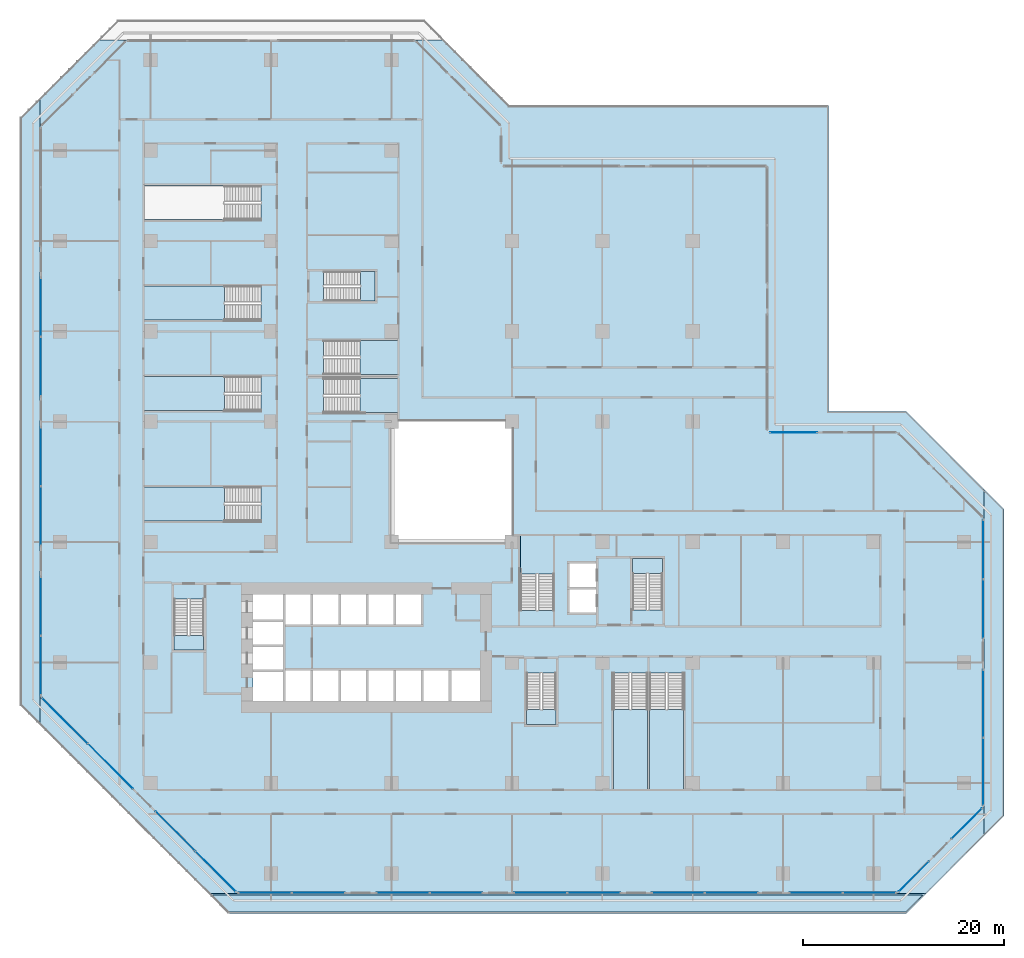
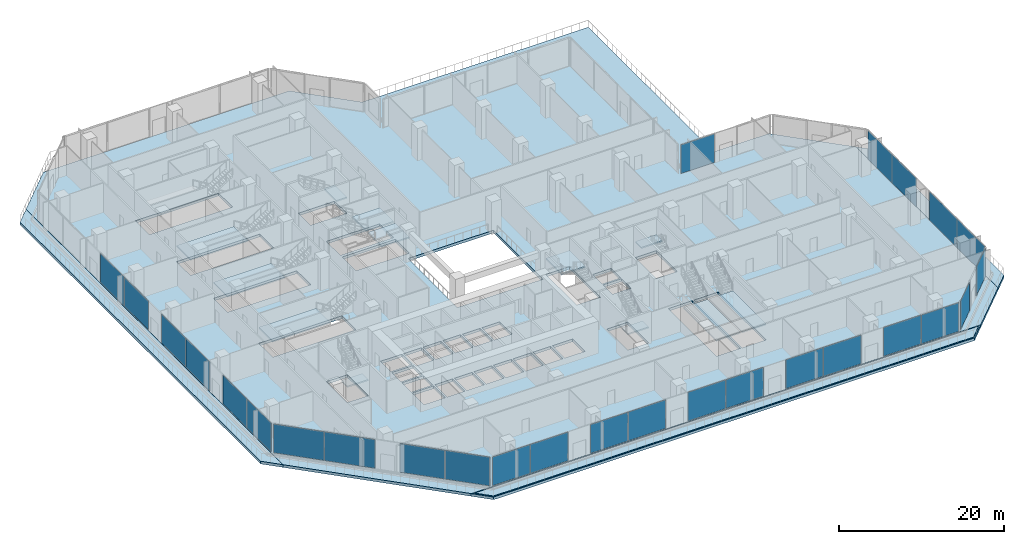
# One storey, part 12 of 31: 27 plates, 17 slabs, 27 elements without a shape of their own.
"""IFC4 building model written with IfcOpenShell, lengths in metres."""

from ifc_helpers import new_model, si_unit, direction, frame, origin, origin_2d, place, context, subcontext, project, spatial, polyline, rectangle, outline, extrude, material, layer, layer_set, type_object, element, aggregate, save


model = new_model("IFC4")

# Units and contexts
model_context = context("Model", 3, precision=1e-05, world=origin(), true_north=direction((0.0, 1.0)))
body_context = subcontext(model_context, "Body", "Model", "MODEL_VIEW")
ifc_project = project(units=[si_unit("LENGTHUNIT", "METRE"), si_unit("AREAUNIT", "SQUARE_METRE"), si_unit("VOLUMEUNIT", "CUBIC_METRE"), si_unit("PLANEANGLEUNIT", "RADIAN"), si_unit("MASSUNIT", "GRAM", prefix="KILO")], contexts=[model_context])

# Site, building, storey
site_placement = place(None, origin())
site = spatial("IfcSite", under=ifc_project, at=site_placement, CompositionType="ELEMENT")
building_placement = place(site_placement, origin())
building = spatial("IfcBuilding", under=site, at=building_placement, Name="Chenar Terraces", CompositionType="ELEMENT")
storey_placement = place(building_placement, frame((0.0, 0.0, 12.0)))
storey = spatial("IfcBuildingStorey", under=building, at=storey_placement, Name="L02", CompositionType="ELEMENT", Elevation=12.0)

# Stair, slab
ifc_material_1 = material(Name="Reinforced concrete C40/50", Category="concrete")
stair_type = type_object("IfcStairType", Name="Core stair 1400 half-turn", PredefinedType="HALF_TURN_STAIR", material=ifc_material_1)
placement_1 = place(storey_placement, origin())
stair_1 = element("IfcStair", 1, at=placement_1, inside=storey, type_object=stair_type, Name="L02 Stair 1", PredefinedType="HALF_TURN_STAIR")
ifc_material_2 = material(Name="Reinforced concrete C40/50", Category="concrete")
ifc_layer_1 = layer(ifc_material_2, 0.199951171875)
ifc_layer_set_1 = layer_set([ifc_layer_1], Name="Reinforced concrete C40/50")
slab_type_1 = type_object("IfcSlabType", Name="Core stair landing 200", PredefinedType="LANDING", material=ifc_layer_set_1)
placement_2 = place(storey_placement, frame((0.0, 0.0, 2.199951171875)))
slab_1 = element("IfcSlab", 2, at=placement_2, type_object=slab_type_1, Name="ST1 landing 1", PredefinedType="LANDING", context=body_context, shape_type="SweptSolid", body=[
    extrude(outline(polyline([(2.35009765625, 14.7099609375), (2.35009765625, 13.25), (5.300048828125, 13.25), (5.300048828125, 14.7099609375), (2.35009765625, 14.7099609375)])), origin(), (0.0, 0.0, 1.0), 0.199951171875),
])
aggregate(stair_1, [slab_1])

stair_2 = element("IfcStair", 3, at=placement_1, inside=storey, type_object=stair_type, Name="L02 Stair 2", PredefinedType="HALF_TURN_STAIR")
slab_2 = element("IfcSlab", 4, at=placement_2, type_object=slab_type_1, Name="ST2 landing 1", PredefinedType="LANDING", context=body_context, shape_type="SweptSolid", body=[
    extrude(outline(polyline([(37.449951171875, 7.31005859375), (37.449951171875, 5.85009765625), (40.39990234375, 5.85009765625), (40.39990234375, 7.31005859375), (37.449951171875, 7.31005859375)])), origin(), (0.0, 0.0, 1.0), 0.199951171875),
])
aggregate(stair_2, [slab_2])

stair_3 = element("IfcStair", 5, at=placement_1, inside=storey, type_object=stair_type, Name="L02 Stair 3", PredefinedType="HALF_TURN_STAIR")
slab_3 = element("IfcSlab", 6, at=placement_2, type_object=slab_type_1, Name="ST3 landing 1", PredefinedType="LANDING", context=body_context, shape_type="SweptSolid", body=[
    extrude(outline(polyline([(50.97509765625, 20.889892578125), (50.97509765625, 22.35009765625), (48.02490234375, 22.35009765625), (48.02490234375, 20.889892578125), (50.97509765625, 20.889892578125)])), origin(), (0.0, 0.0, 1.0), 0.199951171875),
])
aggregate(stair_3, [slab_3])

stair_4 = element("IfcStair", 7, at=placement_1, inside=storey, type_object=stair_type, Name="L02 Stair 4", PredefinedType="HALF_TURN_STAIR")
slab_4 = element("IfcSlab", 8, at=placement_2, type_object=slab_type_1, Name="ST4 landing 1", PredefinedType="LANDING", context=body_context, shape_type="SweptSolid", body=[
    extrude(outline(polyline([(20.889892578125, 48.02490234375), (22.35009765625, 48.02490234375), (22.35009765625, 50.97509765625), (20.889892578125, 50.97509765625), (20.889892578125, 48.02490234375)])), origin(), (0.0, 0.0, 1.0), 0.199951171875),
])
aggregate(stair_4, [slab_4])

stair_5 = element("IfcStair", 9, at=placement_1, inside=storey, type_object=stair_type, Name="L02 Exit stair PS1", PredefinedType="HALF_TURN_STAIR")
slab_5 = element("IfcSlab", 10, at=placement_2, type_object=slab_type_1, Name="PS1 landing 1", PredefinedType="LANDING", context=body_context, shape_type="SweptSolid", body=[
    extrude(outline(polyline([(40.175048828125, 20.840087890625), (40.175048828125, 24.699951171875), (36.824951171875, 24.699951171875), (36.824951171875, 20.840087890625), (40.175048828125, 20.840087890625)])), origin(), (0.0, 0.0, 1.0), 0.199951171875),
])
aggregate(stair_5, [slab_5])

stair_6 = element("IfcStair", 11, at=placement_1, inside=storey, type_object=stair_type, Name="L02 Exit stair PS2", PredefinedType="HALF_TURN_STAIR")
slab_6 = element("IfcSlab", 12, at=placement_2, type_object=slab_type_1, Name="PS2 landing 1", PredefinedType="LANDING", context=body_context, shape_type="SweptSolid", body=[
    extrude(outline(polyline([(49.7099609375, 7.344970703125), (49.7099609375, -0.699951171875), (53.090087890625, -0.699951171875), (53.090087890625, 7.344970703125), (49.7099609375, 7.344970703125)])), origin(), (0.0, 0.0, 1.0), 0.199951171875),
])
aggregate(stair_6, [slab_6])

stair_7 = element("IfcStair", 13, at=placement_1, inside=storey, type_object=stair_type, Name="L02 Exit stair PS4", PredefinedType="HALF_TURN_STAIR")
slab_7 = element("IfcSlab", 14, at=placement_2, type_object=slab_type_1, Name="PS4 landing 1", PredefinedType="LANDING", context=body_context, shape_type="SweptSolid", body=[
    extrude(outline(polyline([(7.344970703125, 49.489990234375), (-0.699951171875, 49.489990234375), (-0.699951171875, 46.110107421875), (7.344970703125, 46.110107421875), (7.344970703125, 49.489990234375)])), origin(), (0.0, 0.0, 1.0), 0.199951171875),
])
aggregate(stair_7, [slab_7])

stair_8 = element("IfcStair", 15, at=placement_1, inside=storey, type_object=stair_type, Name="L02 Exit stair PS5", PredefinedType="HALF_TURN_STAIR")
slab_8 = element("IfcSlab", 16, at=placement_2, type_object=slab_type_1, Name="PS5 landing 1", PredefinedType="LANDING", context=body_context, shape_type="SweptSolid", body=[
    extrude(outline(polyline([(7.344970703125, 29.489990234375), (-0.699951171875, 29.489990234375), (-0.699951171875, 26.110107421875), (7.344970703125, 26.110107421875), (7.344970703125, 29.489990234375)])), origin(), (0.0, 0.0, 1.0), 0.199951171875),
])
aggregate(stair_8, [slab_8])

stair_9 = element("IfcStair", 17, at=placement_1, inside=storey, type_object=stair_type, Name="L02 Exit stair PS6", PredefinedType="HALF_TURN_STAIR")
slab_9 = element("IfcSlab", 18, at=placement_2, type_object=slab_type_1, Name="PS6 landing 1", PredefinedType="LANDING", context=body_context, shape_type="SweptSolid", body=[
    extrude(outline(polyline([(46.110107421875, 7.344970703125), (46.110107421875, -0.699951171875), (49.489990234375, -0.699951171875), (49.489990234375, 7.344970703125), (46.110107421875, 7.344970703125)])), origin(), (0.0, 0.0, 1.0), 0.199951171875),
])
aggregate(stair_9, [slab_9])

stair_10 = element("IfcStair", 19, at=placement_1, inside=storey, type_object=stair_type, Name="L02 Exit stair PS7", PredefinedType="HALF_TURN_STAIR")
slab_10 = element("IfcSlab", 20, at=placement_2, type_object=slab_type_1, Name="PS7 landing 1", PredefinedType="LANDING", context=body_context, shape_type="SweptSolid", body=[
    extrude(outline(polyline([(20.85498046875, 36.909912109375), (24.699951171875, 36.909912109375), (24.699951171875, 40.2900390625), (20.85498046875, 40.2900390625), (20.85498046875, 36.909912109375)])), origin(), (0.0, 0.0, 1.0), 0.199951171875),
])
aggregate(stair_10, [slab_10])

stair_11 = element("IfcStair", 21, at=placement_1, inside=storey, type_object=stair_type, Name="L02 Exit stair PS8", PredefinedType="HALF_TURN_STAIR")
slab_11 = element("IfcSlab", 22, at=placement_2, type_object=slab_type_1, Name="PS8 landing 1", PredefinedType="LANDING", context=body_context, shape_type="SweptSolid", body=[
    extrude(outline(polyline([(20.85498046875, 40.7099609375), (24.699951171875, 40.7099609375), (24.699951171875, 44.090087890625), (20.85498046875, 44.090087890625), (20.85498046875, 40.7099609375)])), origin(), (0.0, 0.0, 1.0), 0.199951171875),
])
aggregate(stair_11, [slab_11])

stair_12 = element("IfcStair", 23, at=placement_1, inside=storey, type_object=stair_type, Name="L02 Exit stair PS9", PredefinedType="HALF_TURN_STAIR")
slab_12 = element("IfcSlab", 24, at=placement_2, type_object=slab_type_1, Name="PS9 landing 1", PredefinedType="LANDING", context=body_context, shape_type="SweptSolid", body=[
    extrude(outline(polyline([(7.344970703125, 40.489990234375), (-0.699951171875, 40.489990234375), (-0.699951171875, 37.110107421875), (7.344970703125, 37.110107421875), (7.344970703125, 40.489990234375)])), origin(), (0.0, 0.0, 1.0), 0.199951171875),
])
aggregate(stair_12, [slab_12])

# Slab
ifc_material_3 = material(Name="Concrete C40/50", Category="concrete")
ifc_layer_2 = layer(ifc_material_3, 0.39990234375)
ifc_layer_set_2 = layer_set([ifc_layer_2], Name="Concrete C40/50")
slab_type_2 = type_object("IfcSlabType", Name="Floor slab 400 Concrete C40/50", PredefinedType="FLOOR", material=ifc_layer_set_2)
placement_3 = place(storey_placement, frame((0.0, 0.0, -0.39990234375)))
element("IfcSlab", 25, at=placement_3, inside=storey, type_object=slab_type_2, Name="Floor slab L02", PredefinedType="FLOOR", context=body_context, shape_type="SweptSolid", body=[
    extrude(outline(polyline([(-10.998046875, 8.56298828125), (-10.998046875, 65.43701171875), (-11.0, 65.43505859375), (-11.0, 68.263427734375), (-5.263427734375, 74.0), (-2.43505859375, 74.0), (-2.43701171875, 73.998046875), (26.43701171875, 73.998046875), (26.43505859375, 74.0), (29.263427734375, 74.0), (35.763427734375, 67.5), (67.5, 67.5), (67.5, 37.0), (75.263427734375, 37.0), (83.0, 29.263427734375), (83.0, 26.43505859375), (82.998046875, 26.43701171875), (82.998046875, -2.43701171875), (83.0, -2.43505859375), (83.0, -5.263427734375), (77.263427734375, -11.0), (74.43505859375, -11.0), (74.43701171875, -10.998046875), (8.56298828125, -10.998046875), (8.56494140625, -11.0), (5.736572265625, -11.0), (-11.0, 5.736572265625), (-11.0, 8.56494140625), (-10.998046875, 8.56298828125)]), holes=[polyline([(13.199951171875, 8.199951171875), (13.199951171875, 11.050048828125), (10.199951171875, 11.050048828125), (10.199951171875, 8.199951171875), (13.199951171875, 8.199951171875)]), polyline([(15.949951171875, 8.199951171875), (15.949951171875, 11.199951171875), (13.449951171875, 11.199951171875), (13.449951171875, 8.199951171875), (15.949951171875, 8.199951171875)]), polyline([(18.699951171875, 8.199951171875), (18.699951171875, 11.199951171875), (16.199951171875, 11.199951171875), (16.199951171875, 8.199951171875), (18.699951171875, 8.199951171875)]), polyline([(21.449951171875, 8.199951171875), (21.449951171875, 11.199951171875), (18.949951171875, 11.199951171875), (18.949951171875, 8.199951171875), (21.449951171875, 8.199951171875)]), polyline([(13.199951171875, 11.300048828125), (13.199951171875, 13.550048828125), (10.199951171875, 13.550048828125), (10.199951171875, 11.300048828125), (13.199951171875, 11.300048828125)]), polyline([(13.199951171875, 13.800048828125), (13.199951171875, 16.050048828125), (10.199951171875, 16.050048828125), (10.199951171875, 13.800048828125), (13.199951171875, 13.800048828125)]), polyline([(2.35009765625, 18.35009765625), (2.35009765625, 13.25), (5.300048828125, 13.25), (5.300048828125, 18.35009765625), (2.35009765625, 18.35009765625)]), polyline([(15.949951171875, 15.800048828125), (15.949951171875, 18.800048828125), (13.449951171875, 18.800048828125), (13.449951171875, 15.800048828125), (15.949951171875, 15.800048828125)]), polyline([(18.699951171875, 15.800048828125), (18.699951171875, 18.800048828125), (16.199951171875, 18.800048828125), (16.199951171875, 15.800048828125), (18.699951171875, 15.800048828125)]), polyline([(21.449951171875, 15.800048828125), (21.449951171875, 18.800048828125), (18.949951171875, 18.800048828125), (18.949951171875, 15.800048828125), (21.449951171875, 15.800048828125)]), polyline([(13.199951171875, 16.300048828125), (13.199951171875, 18.800048828125), (10.199951171875, 18.800048828125), (10.199951171875, 16.300048828125), (13.199951171875, 16.300048828125)]), polyline([(10.985107421875, 29.489990234375), (-0.699951171875, 29.489990234375), (-0.699951171875, 26.110107421875), (10.985107421875, 26.110107421875), (10.985107421875, 29.489990234375)]), polyline([(10.985107421875, 40.489990234375), (-0.699951171875, 40.489990234375), (-0.699951171875, 37.110107421875), (10.985107421875, 37.110107421875), (10.985107421875, 40.489990234375)]), polyline([(10.985107421875, 49.489990234375), (-0.699951171875, 49.489990234375), (-0.699951171875, 46.110107421875), (10.985107421875, 46.110107421875), (10.985107421875, 49.489990234375)]), polyline([(17.25, 48.02490234375), (22.35009765625, 48.02490234375), (22.35009765625, 50.97509765625), (17.25, 50.97509765625), (17.25, 48.02490234375)]), polyline([(10.985107421875, 59.489990234375), (-0.699951171875, 59.489990234375), (-0.699951171875, 56.110107421875), (10.985107421875, 56.110107421875), (10.985107421875, 59.489990234375)]), polyline([(46.110107421875, 10.985107421875), (46.110107421875, -0.699951171875), (49.489990234375, -0.699951171875), (49.489990234375, 10.985107421875), (46.110107421875, 10.985107421875)]), polyline([(49.7099609375, 10.985107421875), (49.7099609375, -0.699951171875), (53.090087890625, -0.699951171875), (53.090087890625, 10.985107421875), (49.7099609375, 10.985107421875)]), polyline([(37.449951171875, 10.949951171875), (37.449951171875, 5.85009765625), (40.39990234375, 5.85009765625), (40.39990234375, 10.949951171875), (37.449951171875, 10.949951171875)]), polyline([(24.199951171875, 8.199951171875), (24.199951171875, 11.199951171875), (21.699951171875, 11.199951171875), (21.699951171875, 8.199951171875), (24.199951171875, 8.199951171875)]), polyline([(26.949951171875, 8.199951171875), (26.949951171875, 11.199951171875), (24.449951171875, 11.199951171875), (24.449951171875, 8.199951171875), (26.949951171875, 8.199951171875)]), polyline([(29.699951171875, 8.199951171875), (29.699951171875, 11.199951171875), (27.199951171875, 11.199951171875), (27.199951171875, 8.199951171875), (29.699951171875, 8.199951171875)]), polyline([(32.800048828125, 8.199951171875), (32.800048828125, 11.199951171875), (29.949951171875, 11.199951171875), (29.949951171875, 8.199951171875), (32.800048828125, 8.199951171875)]), polyline([(24.199951171875, 15.800048828125), (24.199951171875, 18.800048828125), (21.699951171875, 18.800048828125), (21.699951171875, 15.800048828125), (24.199951171875, 15.800048828125)]), polyline([(26.949951171875, 15.800048828125), (26.949951171875, 18.800048828125), (24.449951171875, 18.800048828125), (24.449951171875, 15.800048828125), (26.949951171875, 15.800048828125)]), polyline([(44.35009765625, 17.0), (44.35009765625, 19.300048828125), (41.75, 19.300048828125), (41.75, 17.0), (44.35009765625, 17.0)]), polyline([(50.97509765625, 17.25), (50.97509765625, 22.35009765625), (48.02490234375, 22.35009765625), (48.02490234375, 17.25), (50.97509765625, 17.25)]), polyline([(44.35009765625, 19.550048828125), (44.35009765625, 21.85009765625), (41.75, 21.85009765625), (41.75, 19.550048828125), (44.35009765625, 19.550048828125)]), polyline([(40.175048828125, 17.199951171875), (40.175048828125, 24.699951171875), (36.824951171875, 24.699951171875), (36.824951171875, 17.199951171875), (40.175048828125, 17.199951171875)]), polyline([(24.0, 24.0), (36.0, 24.0), (36.0, 36.0), (24.0, 36.0), (24.0, 24.0)]), polyline([(17.215087890625, 36.909912109375), (24.699951171875, 36.909912109375), (24.699951171875, 40.2900390625), (17.215087890625, 40.2900390625), (17.215087890625, 36.909912109375)]), polyline([(17.215087890625, 40.7099609375), (24.699951171875, 40.7099609375), (24.699951171875, 44.090087890625), (17.215087890625, 44.090087890625), (17.215087890625, 40.7099609375)])]), origin(), (0.0, 0.0, 1.0), 0.39990234375),
])

# Curtain wall, plates
ifc_material_4 = material(Name="Aluminium framed glazing", Category="aluminium")
ifc_layer_3 = layer(ifc_material_4, 0.14990234375)
ifc_layer_set_3 = layer_set([ifc_layer_3], Name="Aluminium framed glazing")
curtain_wall_type = type_object("IfcCurtainWallType", Name="School curtain wall", PredefinedType="NOTDEFINED", material=ifc_layer_set_3)
curtain_wall_1 = element("IfcCurtainWall", 26, at=placement_1, inside=storey, type_object=curtain_wall_type, Name="School curtain wall", PredefinedType="NOTDEFINED")
ifc_material_5 = material(Name="Low emissivity laminated glass, solar control coating", Category="glass")
ifc_layer_4 = layer(ifc_material_5, 0.031982421875)
ifc_layer_set_4 = layer_set([ifc_layer_4], Name="Low emissivity laminated glass, solar control coating")
plate_type = type_object("IfcPlateType", Name="School glazing panel 32", PredefinedType="CURTAIN_PANEL", material=ifc_layer_set_4)
plate_1_placement = place(storey_placement, frame((-10.925048828125, 47.3955078125, 0.06982421875), z_axis=(0.0, 0.0, 1.0), x_axis=(0.0, -1.0, 0.0)))
plate_1 = element("IfcPlate", 27, at=plate_1_placement, type_object=plate_type, Name="CW2-05c1 panel 1.1", PredefinedType="CURTAIN_PANEL", context=body_context, shape_type="SweptSolid", body=[
    extrude(rectangle(XDim=5.828857421875, YDim=0.031982421875, at=origin_2d()), origin(), (0.0, 0.0, 1.0), 4.260009765625),
])
plate_2_placement = place(storey_placement, frame((-10.925048828125, 41.496826171875, 0.06982421875), z_axis=(0.0, 0.0, 1.0), x_axis=(0.0, -1.0, 0.0)))
plate_2 = element("IfcPlate", 28, at=plate_2_placement, type_object=plate_type, Name="CW2-05c1 panel 2.1", PredefinedType="CURTAIN_PANEL", context=body_context, shape_type="SweptSolid", body=[
    extrude(rectangle(XDim=5.828857421875, YDim=0.031982421875, at=origin_2d()), origin(), (0.0, 0.0, 1.0), 4.260009765625),
])
aggregate(curtain_wall_1, [plate_1, plate_2])

curtain_wall_2 = element("IfcCurtainWall", 29, at=placement_1, inside=storey, type_object=curtain_wall_type, Name="School curtain wall", PredefinedType="NOTDEFINED")
plate_3_placement = place(storey_placement, frame((-10.925048828125, 32.503173828125, 0.06982421875), z_axis=(0.0, 0.0, 1.0), x_axis=(0.0, -1.0, 0.0)))
plate_3 = element("IfcPlate", 30, at=plate_3_placement, type_object=plate_type, Name="CW2-05c2 panel 1.1", PredefinedType="CURTAIN_PANEL", context=body_context, shape_type="SweptSolid", body=[
    extrude(rectangle(XDim=5.828857421875, YDim=0.031982421875, at=origin_2d()), origin(), (0.0, 0.0, 1.0), 4.260009765625),
])
plate_4_placement = place(storey_placement, frame((-10.925048828125, 26.6044921875, 0.06982421875), z_axis=(0.0, 0.0, 1.0), x_axis=(0.0, -1.0, 0.0)))
plate_4 = element("IfcPlate", 31, at=plate_4_placement, type_object=plate_type, Name="CW2-05c2 panel 2.1", PredefinedType="CURTAIN_PANEL", context=body_context, shape_type="SweptSolid", body=[
    extrude(rectangle(XDim=5.828857421875, YDim=0.031982421875, at=origin_2d()), origin(), (0.0, 0.0, 1.0), 4.260009765625),
])
aggregate(curtain_wall_2, [plate_3, plate_4])

curtain_wall_3 = element("IfcCurtainWall", 32, at=placement_1, inside=storey, type_object=curtain_wall_type, Name="School curtain wall", PredefinedType="NOTDEFINED")
plate_5_placement = place(storey_placement, frame((-10.925048828125, 17.607421875, 0.06982421875), z_axis=(0.0, 0.0, 1.0), x_axis=(0.0, -1.0, 0.0)))
plate_5 = element("IfcPlate", 33, at=plate_5_placement, type_object=plate_type, Name="CW2-05c3 panel 1.1", PredefinedType="CURTAIN_PANEL", context=body_context, shape_type="SweptSolid", body=[
    extrude(rectangle(XDim=5.8349609375, YDim=0.031982421875, at=origin_2d()), origin(), (0.0, 0.0, 1.0), 4.260009765625),
])
plate_6_placement = place(storey_placement, frame((-10.925048828125, 11.702392578125, 0.06982421875), z_axis=(0.0, 0.0, 1.0), x_axis=(0.0, -1.0, 0.0)))
plate_6 = element("IfcPlate", 34, at=plate_6_placement, type_object=plate_type, Name="CW2-05c3 panel 2.1", PredefinedType="CURTAIN_PANEL", context=body_context, shape_type="SweptSolid", body=[
    extrude(rectangle(XDim=5.8349609375, YDim=0.031982421875, at=origin_2d()), origin(), (0.0, 0.0, 1.0), 4.260009765625),
])
aggregate(curtain_wall_3, [plate_5, plate_6])

curtain_wall_4 = element("IfcCurtainWall", 35, at=placement_1, inside=storey, type_object=curtain_wall_type, Name="School curtain wall", PredefinedType="NOTDEFINED")
plate_7_placement = place(storey_placement, frame((-8.544189453125, 6.21533203125, 0.06982421875), z_axis=(0.0, 0.0, 1.0), x_axis=(0.707106781187, -0.707106781187, 0.0)))
plate_7 = element("IfcPlate", 36, at=plate_7_placement, type_object=plate_type, Name="CW2-06c0 panel 1.1", PredefinedType="CURTAIN_PANEL", context=body_context, shape_type="SweptSolid", body=[
    extrude(rectangle(XDim=6.35595703125, YDim=0.031982421875, at=origin_2d()), origin(), (0.0, 0.0, 1.0), 4.260009765625),
])
plate_8_placement = place(storey_placement, frame((-4.000244140625, 1.67138671875, 0.06982421875), z_axis=(0.0, 0.0, 1.0), x_axis=(0.707106781187, -0.707106781187, 0.0)))
plate_8 = element("IfcPlate", 37, at=plate_8_placement, type_object=plate_type, Name="CW2-06c0 panel 2.1", PredefinedType="CURTAIN_PANEL", context=body_context, shape_type="SweptSolid", body=[
    extrude(rectangle(XDim=6.35595703125, YDim=0.031982421875, at=origin_2d()), origin(), (0.0, 0.0, 1.0), 4.260009765625),
])
aggregate(curtain_wall_4, [plate_7, plate_8])

curtain_wall_5 = element("IfcCurtainWall", 38, at=placement_1, inside=storey, type_object=curtain_wall_type, Name="School curtain wall", PredefinedType="NOTDEFINED")
plate_9_placement = place(storey_placement, frame((2.466796875, -4.7958984375, 0.06982421875), z_axis=(0.0, 0.0, 1.0), x_axis=(0.707106781187, -0.707106781187, 0.0)))
plate_9 = element("IfcPlate", 39, at=plate_9_placement, type_object=plate_type, Name="CW2-06c1 panel 1.1", PredefinedType="CURTAIN_PANEL", context=body_context, shape_type="SweptSolid", body=[
    extrude(rectangle(XDim=5.60595703125, YDim=0.031982421875, at=origin_2d()), origin(), (0.0, 0.0, 1.0), 4.260009765625),
])
plate_10_placement = place(storey_placement, frame((6.48046875, -8.809326171875, 0.06982421875), z_axis=(0.0, 0.0, 1.0), x_axis=(0.707106781187, -0.707106781187, 0.0)))
plate_10 = element("IfcPlate", 40, at=plate_10_placement, type_object=plate_type, Name="CW2-06c1 panel 2.1", PredefinedType="CURTAIN_PANEL", context=body_context, shape_type="SweptSolid", body=[
    extrude(rectangle(XDim=5.60595703125, YDim=0.031982421875, at=origin_2d()), origin(), (0.0, 0.0, 1.0), 4.260009765625),
])
aggregate(curtain_wall_5, [plate_9, plate_10])

curtain_wall_6 = element("IfcCurtainWall", 41, at=placement_1, inside=storey, type_object=curtain_wall_type, Name="School curtain wall", PredefinedType="NOTDEFINED")
plate_11_placement = place(storey_placement, frame((11.407958984375, -10.925048828125, 0.06982421875), z_axis=(0.0, 0.0, 1.0), x_axis=(1.0, 0.0, 0.0)))
plate_11 = element("IfcPlate", 42, at=plate_11_placement, type_object=plate_type, Name="CW2-07c0 panel 1.1", PredefinedType="CURTAIN_PANEL", context=body_context, shape_type="SweptSolid", body=[
    extrude(rectangle(XDim=5.245849609375, YDim=0.031982421875, at=origin_2d()), origin(), (0.0, 0.0, 1.0), 4.260009765625),
])
plate_12_placement = place(storey_placement, frame((16.7236328125, -10.925048828125, 0.06982421875), z_axis=(0.0, 0.0, 1.0), x_axis=(1.0, 0.0, 0.0)))
plate_12 = element("IfcPlate", 43, at=plate_12_placement, type_object=plate_type, Name="CW2-07c0 panel 2.1", PredefinedType="CURTAIN_PANEL", context=body_context, shape_type="SweptSolid", body=[
    extrude(rectangle(XDim=5.245849609375, YDim=0.031982421875, at=origin_2d()), origin(), (0.0, 0.0, 1.0), 4.260009765625),
])
aggregate(curtain_wall_6, [plate_11, plate_12])

curtain_wall_7 = element("IfcCurtainWall", 44, at=placement_1, inside=storey, type_object=curtain_wall_type, Name="School curtain wall", PredefinedType="NOTDEFINED")
plate_13_placement = place(storey_placement, frame((25.13134765625, -10.925048828125, 0.06982421875), z_axis=(0.0, 0.0, 1.0), x_axis=(1.0, 0.0, 0.0)))
plate_13 = element("IfcPlate", 45, at=plate_13_placement, type_object=plate_type, Name="CW2-07c1 panel 1.1", PredefinedType="CURTAIN_PANEL", context=body_context, shape_type="SweptSolid", body=[
    extrude(rectangle(XDim=5.239501953125, YDim=0.031982421875, at=origin_2d()), origin(), (0.0, 0.0, 1.0), 4.260009765625),
])
plate_14_placement = place(storey_placement, frame((30.440673828125, -10.925048828125, 0.06982421875), z_axis=(0.0, 0.0, 1.0), x_axis=(1.0, 0.0, 0.0)))
plate_14 = element("IfcPlate", 46, at=plate_14_placement, type_object=plate_type, Name="CW2-07c1 panel 2.1", PredefinedType="CURTAIN_PANEL", context=body_context, shape_type="SweptSolid", body=[
    extrude(rectangle(XDim=5.239501953125, YDim=0.031982421875, at=origin_2d()), origin(), (0.0, 0.0, 1.0), 4.260009765625),
])
aggregate(curtain_wall_7, [plate_13, plate_14])

curtain_wall_8 = element("IfcCurtainWall", 47, at=placement_1, inside=storey, type_object=curtain_wall_type, Name="School curtain wall", PredefinedType="NOTDEFINED")
plate_15_placement = place(storey_placement, frame((38.84521484375, -10.925048828125, 0.06982421875), z_axis=(0.0, 0.0, 1.0), x_axis=(1.0, 0.0, 0.0)))
plate_15 = element("IfcPlate", 48, at=plate_15_placement, type_object=plate_type, Name="CW2-07c2 panel 1.1", PredefinedType="CURTAIN_PANEL", context=body_context, shape_type="SweptSolid", body=[
    extrude(rectangle(XDim=5.239501953125, YDim=0.031982421875, at=origin_2d()), origin(), (0.0, 0.0, 1.0), 4.260009765625),
])
plate_16_placement = place(storey_placement, frame((44.15478515625, -10.925048828125, 0.06982421875), z_axis=(0.0, 0.0, 1.0), x_axis=(1.0, 0.0, 0.0)))
plate_16 = element("IfcPlate", 49, at=plate_16_placement, type_object=plate_type, Name="CW2-07c2 panel 2.1", PredefinedType="CURTAIN_PANEL", context=body_context, shape_type="SweptSolid", body=[
    extrude(rectangle(XDim=5.239501953125, YDim=0.031982421875, at=origin_2d()), origin(), (0.0, 0.0, 1.0), 4.260009765625),
])
aggregate(curtain_wall_8, [plate_15, plate_16])

curtain_wall_9 = element("IfcCurtainWall", 50, at=placement_1, inside=storey, type_object=curtain_wall_type, Name="School curtain wall", PredefinedType="NOTDEFINED")
plate_17_placement = place(storey_placement, frame((52.559326171875, -10.925048828125, 0.06982421875), z_axis=(0.0, 0.0, 1.0), x_axis=(1.0, 0.0, 0.0)))
plate_17 = element("IfcPlate", 51, at=plate_17_placement, type_object=plate_type, Name="CW2-07c3 panel 1.1", PredefinedType="CURTAIN_PANEL", context=body_context, shape_type="SweptSolid", body=[
    extrude(rectangle(XDim=5.239501953125, YDim=0.031982421875, at=origin_2d()), origin(), (0.0, 0.0, 1.0), 4.260009765625),
])
plate_18_placement = place(storey_placement, frame((57.86865234375, -10.925048828125, 0.06982421875), z_axis=(0.0, 0.0, 1.0), x_axis=(1.0, 0.0, 0.0)))
plate_18 = element("IfcPlate", 52, at=plate_18_placement, type_object=plate_type, Name="CW2-07c3 panel 2.1", PredefinedType="CURTAIN_PANEL", context=body_context, shape_type="SweptSolid", body=[
    extrude(rectangle(XDim=5.239501953125, YDim=0.031982421875, at=origin_2d()), origin(), (0.0, 0.0, 1.0), 4.260009765625),
])
aggregate(curtain_wall_9, [plate_17, plate_18])

curtain_wall_10 = element("IfcCurtainWall", 53, at=placement_1, inside=storey, type_object=curtain_wall_type, Name="School curtain wall", PredefinedType="NOTDEFINED")
plate_19_placement = place(storey_placement, frame((66.2763671875, -10.925048828125, 0.06982421875), z_axis=(0.0, 0.0, 1.0), x_axis=(1.0, 0.0, 0.0)))
plate_19 = element("IfcPlate", 54, at=plate_19_placement, type_object=plate_type, Name="CW2-07c4 panel 1.1", PredefinedType="CURTAIN_PANEL", context=body_context, shape_type="SweptSolid", body=[
    extrude(rectangle(XDim=5.245849609375, YDim=0.031982421875, at=origin_2d()), origin(), (0.0, 0.0, 1.0), 4.260009765625),
])
plate_20_placement = place(storey_placement, frame((71.592041015625, -10.925048828125, 0.06982421875), z_axis=(0.0, 0.0, 1.0), x_axis=(1.0, 0.0, 0.0)))
plate_20 = element("IfcPlate", 55, at=plate_20_placement, type_object=plate_type, Name="CW2-07c4 panel 2.1", PredefinedType="CURTAIN_PANEL", context=body_context, shape_type="SweptSolid", body=[
    extrude(rectangle(XDim=5.245849609375, YDim=0.031982421875, at=origin_2d()), origin(), (0.0, 0.0, 1.0), 4.260009765625),
])
aggregate(curtain_wall_10, [plate_19, plate_20])

# Curtain wall, plate
curtain_wall_11 = element("IfcCurtainWall", 56, at=placement_1, inside=storey, type_object=curtain_wall_type, Name="School curtain wall", PredefinedType="NOTDEFINED")
plate_21_placement = place(storey_placement, frame((76.04150390625, -9.287353515625, 0.06982421875), z_axis=(0.0, 0.0, 1.0), x_axis=(0.707106781187, 0.707106781187, 0.0)))
plate_21 = element("IfcPlate", 57, at=plate_21_placement, type_object=plate_type, Name="CW2-08c0 panel 1.1", PredefinedType="CURTAIN_PANEL", context=body_context, shape_type="SweptSolid", body=[
    extrude(rectangle(XDim=4.25390625, YDim=0.031982421875, at=origin_2d()), origin(), (0.0, 0.0, 1.0), 4.260009765625),
])
aggregate(curtain_wall_11, [plate_21])

curtain_wall_12 = element("IfcCurtainWall", 58, at=placement_1, inside=storey, type_object=curtain_wall_type, Name="School curtain wall", PredefinedType="NOTDEFINED")
plate_22_placement = place(storey_placement, frame((81.287353515625, -4.04150390625, 0.06982421875), z_axis=(0.0, 0.0, 1.0), x_axis=(0.707106781187, 0.707106781187, 0.0)))
plate_22 = element("IfcPlate", 59, at=plate_22_placement, type_object=plate_type, Name="CW2-08c1 panel 1.1", PredefinedType="CURTAIN_PANEL", context=body_context, shape_type="SweptSolid", body=[
    extrude(rectangle(XDim=4.25390625, YDim=0.031982421875, at=origin_2d()), origin(), (0.0, 0.0, 1.0), 4.260009765625),
])
aggregate(curtain_wall_12, [plate_22])

# Curtain wall, plates
curtain_wall_13 = element("IfcCurtainWall", 60, at=placement_1, inside=storey, type_object=curtain_wall_type, Name="School curtain wall", PredefinedType="NOTDEFINED")
plate_23_placement = place(storey_placement, frame((82.925048828125, 1.13818359375, 0.06982421875), z_axis=(0.0, 0.0, 1.0), x_axis=(0.0, 1.0, 0.0)))
plate_23 = element("IfcPlate", 61, at=plate_23_placement, type_object=plate_type, Name="CW2-09c0 panel 1.1", PredefinedType="CURTAIN_PANEL", context=body_context, shape_type="SweptSolid", body=[
    extrude(rectangle(XDim=6.706298828125, YDim=0.031982421875, at=origin_2d()), origin(), (0.0, 0.0, 1.0), 4.260009765625),
])
plate_24_placement = place(storey_placement, frame((82.925048828125, 7.914306640625, 0.06982421875), z_axis=(0.0, 0.0, 1.0), x_axis=(0.0, 1.0, 0.0)))
plate_24 = element("IfcPlate", 62, at=plate_24_placement, type_object=plate_type, Name="CW2-09c0 panel 2.1", PredefinedType="CURTAIN_PANEL", context=body_context, shape_type="SweptSolid", body=[
    extrude(rectangle(XDim=6.706298828125, YDim=0.031982421875, at=origin_2d()), origin(), (0.0, 0.0, 1.0), 4.260009765625),
])
aggregate(curtain_wall_13, [plate_23, plate_24])

curtain_wall_14 = element("IfcCurtainWall", 63, at=placement_1, inside=storey, type_object=curtain_wall_type, Name="School curtain wall", PredefinedType="NOTDEFINED")
plate_25_placement = place(storey_placement, frame((82.925048828125, 17.360595703125, 0.06982421875), z_axis=(0.0, 0.0, 1.0), x_axis=(0.0, 1.0, 0.0)))
plate_25 = element("IfcPlate", 64, at=plate_25_placement, type_object=plate_type, Name="CW2-09c1 panel 1.1", PredefinedType="CURTAIN_PANEL", context=body_context, shape_type="SweptSolid", body=[
    extrude(rectangle(XDim=5.856201171875, YDim=0.031982421875, at=origin_2d()), origin(), (0.0, 0.0, 1.0), 4.260009765625),
])
plate_26_placement = place(storey_placement, frame((82.925048828125, 23.286865234375, 0.06982421875), z_axis=(0.0, 0.0, 1.0), x_axis=(0.0, 1.0, 0.0)))
plate_26 = element("IfcPlate", 65, at=plate_26_placement, type_object=plate_type, Name="CW2-09c1 panel 2.1", PredefinedType="CURTAIN_PANEL", context=body_context, shape_type="SweptSolid", body=[
    extrude(rectangle(XDim=5.856201171875, YDim=0.031982421875, at=origin_2d()), origin(), (0.0, 0.0, 1.0), 4.260009765625),
])
aggregate(curtain_wall_14, [plate_25, plate_26])

# Curtain wall, plate
curtain_wall_15 = element("IfcCurtainWall", 66, at=placement_1, inside=storey, type_object=curtain_wall_type, Name="School curtain wall", PredefinedType="NOTDEFINED")
plate_27_placement = place(storey_placement, frame((64.052490234375, 34.925048828125, 0.06982421875), z_axis=(0.0, 0.0, 1.0), x_axis=(-1.0, 0.0, 0.0)))
plate_27 = element("IfcPlate", 67, at=plate_27_placement, type_object=plate_type, Name="CW2-11c1 panel 1.1", PredefinedType="CURTAIN_PANEL", context=body_context, shape_type="SweptSolid", body=[
    extrude(rectangle(XDim=4.6650390625, YDim=0.031982421875, at=origin_2d()), origin(), (0.0, 0.0, 1.0), 4.260009765625),
])
aggregate(curtain_wall_15, [plate_27])

# Slabs
ifc_material_6 = material(Name="Limestone paving", Category="masonry")
ifc_layer_5 = layer(ifc_material_6, 0.050048828125)
ifc_layer_set_5 = layer_set([ifc_layer_5], Name="Limestone paving")
slab_type_3 = type_object("IfcSlabType", Name="Terrace paving 50", PredefinedType="USERDEFINED", material=ifc_layer_set_5)
element("IfcSlab", 68, at=placement_1, inside=storey, type_object=slab_type_3, Name="Terrace paving", ObjectType="PAVING", PredefinedType="USERDEFINED", context=body_context, shape_type="SweptSolid", body=[
    extrude(outline(polyline([(75.201416015625, -12.85009765625), (7.798583984375, -12.85009765625), (6.0986328125, -11.14990234375), (76.9013671875, -11.14990234375), (75.201416015625, -12.85009765625)])), origin(), (0.0, 0.0, 1.0), 0.050048828125),
])
ifc_material_7 = material(Name="Concrete C40/50", Category="concrete")
ifc_layer_6 = layer(ifc_material_7, 0.39990234375)
ifc_layer_set_6 = layer_set([ifc_layer_6], Name="Concrete C40/50")
slab_type_4 = type_object("IfcSlabType", Name="Terrace slab 400 Concrete C40/50", PredefinedType="FLOOR", material=ifc_layer_set_6)
element("IfcSlab", 69, at=placement_3, inside=storey, type_object=slab_type_4, Name="Terrace slab L02", PredefinedType="FLOOR", context=body_context, shape_type="SweptSolid", body=[
    extrude(outline(polyline([(85.0, 27.263427734375), (85.0, -3.263427734375), (83.0, -5.263427734375), (83.0, -2.43505859375), (83.0, 26.43505859375), (83.0, 29.263427734375), (85.0, 27.263427734375)])), origin(), (0.0, 0.0, 1.0), 0.39990234375),
])
element("IfcSlab", 70, at=placement_3, inside=storey, type_object=slab_type_4, Name="Terrace slab L02 2.1", PredefinedType="FLOOR", context=body_context, shape_type="SweptSolid", body=[
    extrude(outline(polyline([(75.263427734375, -13.0), (7.736572265625, -13.0), (5.736572265625, -11.0), (8.56494140625, -11.0), (74.43505859375, -11.0), (77.263427734375, -11.0), (75.263427734375, -13.0)])), origin(), (0.0, 0.0, 1.0), 0.39990234375),
])
element("IfcSlab", 71, at=placement_3, inside=storey, type_object=slab_type_4, Name="Terrace slab L02 3.1", PredefinedType="FLOOR", context=body_context, shape_type="SweptSolid", body=[
    extrude(outline(polyline([(-13.0, 7.736572265625), (-13.0, 66.263427734375), (-11.0, 68.263427734375), (-11.0, 65.43505859375), (-11.0, 8.56494140625), (-11.0, 5.736572265625), (-13.0, 7.736572265625)])), origin(), (0.0, 0.0, 1.0), 0.39990234375),
])

save(model, "model.ifc")
